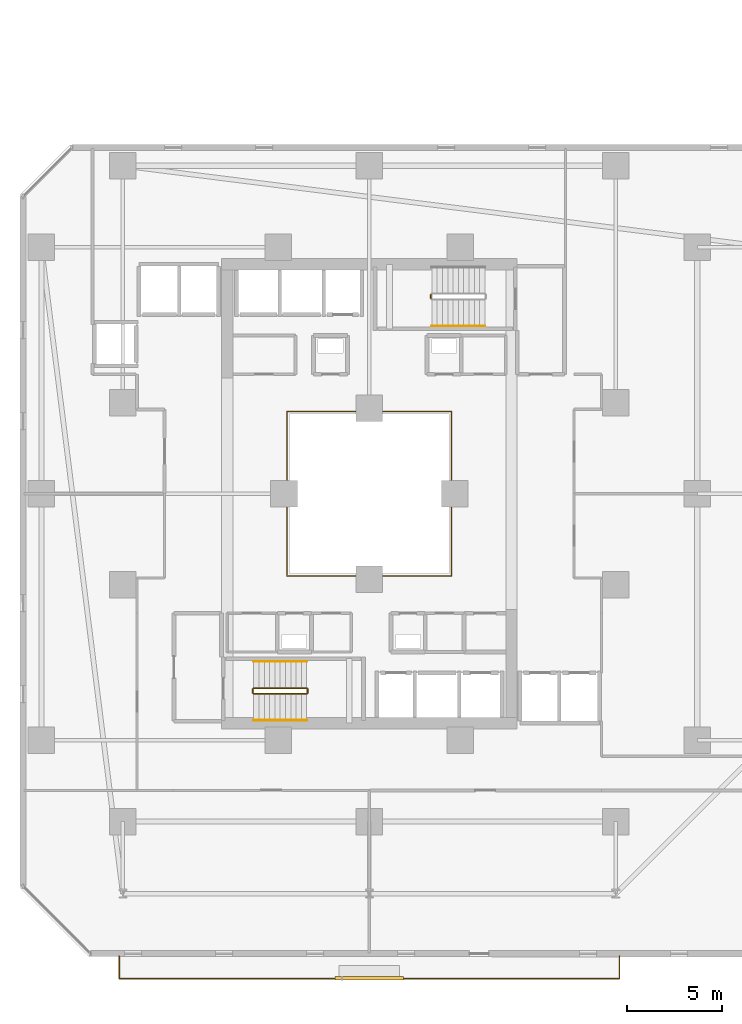
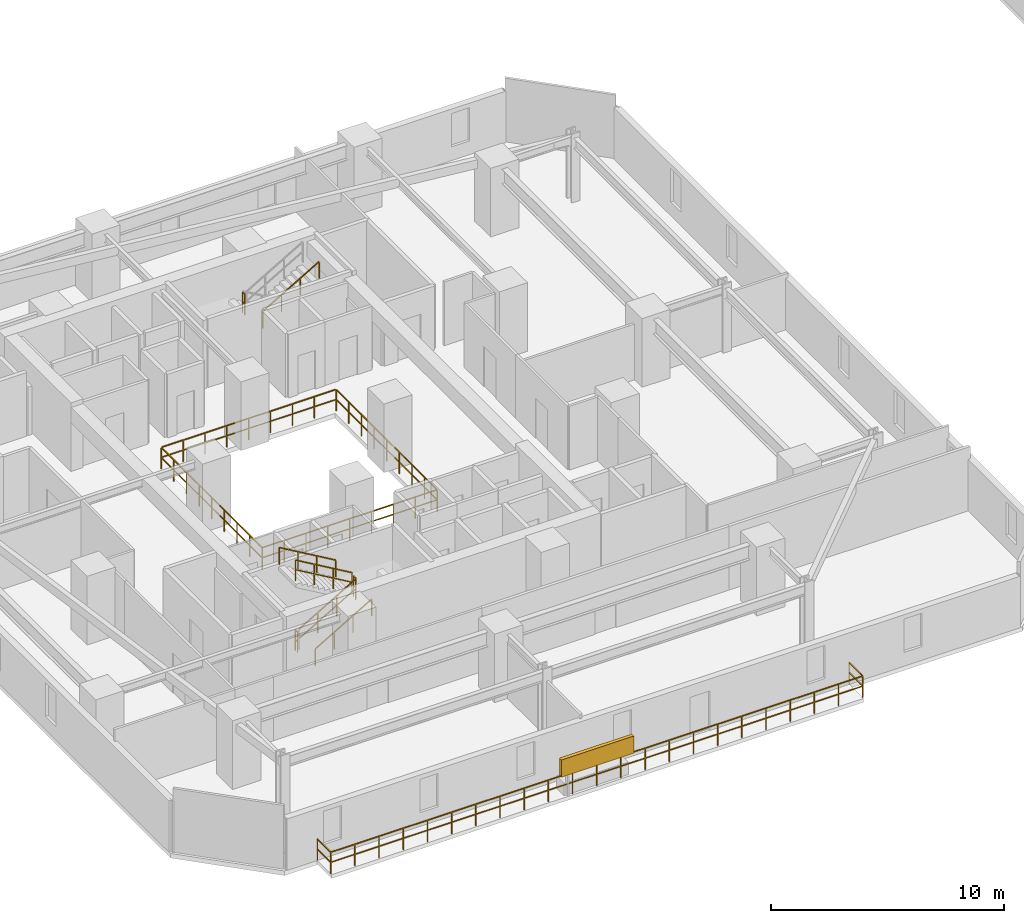
# One storey, part 31 of 34: 10 railings, 1 shading device.
"""IFC4 building model written with IfcOpenShell, lengths in metres."""

import ifcopenshell
import ifcopenshell.guid

model = None  # the IFC model being written
_history = None  # IfcOwnerHistory: only IFC2X3 demands one
_inside = {}  # id of a spatial element -> (the spatial element, [elements in it])
_under = {}  # id of a project, library or spatial element -> (it, [spatial elements below it])
_declared = {}  # id of a project -> (the project, [libraries it declares])
_typed = {}  # id of a type object -> (the type object, [elements of that type])
_made_of = {}  # id of a material, layer set ... -> (it, [elements and type objects made of it])


def new_model(schema):
    """Start an empty IFC model of exactly this schema.

    Asked for "IFC4X3", IfcOpenShell would pick the latest addendum, in which some entities
    have other attributes; the version numbers below select the first issue.
    IFC2X3 requires an IfcOwnerHistory on every rooted entity: one is made here for all.
    """
    global model, _history
    if schema == "IFC4X3":
        model = ifcopenshell.file(schema_version=(4, 3, 0, 0))
    else:
        model = ifcopenshell.file(schema=schema)
    _inside.clear()
    _under.clear()
    _declared.clear()
    _typed.clear()
    _made_of.clear()
    _history = None
    if model.schema == "IFC2X3":
        org = make("IfcOrganization", Name="unknown")
        user = make(
            "IfcPersonAndOrganization",
            ThePerson=make("IfcPerson", FamilyName="unknown"),
            TheOrganization=org,
        )
        app = make(
            "IfcApplication",
            ApplicationDeveloper=org,
            Version="unknown",
            ApplicationFullName="unknown",
            ApplicationIdentifier="unknown",
        )
        _history = make(
            "IfcOwnerHistory",
            OwningUser=user,
            OwningApplication=app,
            ChangeAction="ADDED",
            CreationDate=0,
        )
    return model


def make(cls, **values):
    """One entity of the class cls with the attributes given. An attribute that is None is left unset."""
    return model.create_entity(
        cls, **{name: value for name, value in values.items() if value is not None}
    )


def rooted(cls, **values):
    """An entity with a GlobalId (a new one), such as an element, a storey or a relation."""
    return make(cls, GlobalId=ifcopenshell.guid.new(), OwnerHistory=_history, **values)


def si_unit(unit_type, name, prefix=None):
    """IfcSIUnit, for example si_unit("LENGTHUNIT", "METRE", prefix="MILLI")."""
    return make("IfcSIUnit", UnitType=unit_type, Prefix=prefix, Name=name)


def assignment(units):
    """IfcUnitAssignment: the units of a project."""
    return None if units is None else make("IfcUnitAssignment", Units=units)


def point(xyz):
    """IfcCartesianPoint."""
    return None if xyz is None else make("IfcCartesianPoint", Coordinates=xyz)


def direction(xyz):
    """IfcDirection."""
    return None if xyz is None else make("IfcDirection", DirectionRatios=xyz)


def frame(location, z_axis=None, x_axis=None):
    """IfcAxis2Placement3D, a coordinate frame: its origin and axes. An axis left out is left unset."""
    return make(
        "IfcAxis2Placement3D",
        Location=point(location),
        Axis=direction(z_axis),
        RefDirection=direction(x_axis),
    )


def frame_2d(location, x_axis=None):
    """IfcAxis2Placement2D, a coordinate frame in the plane: its origin and x axis."""
    return make(
        "IfcAxis2Placement2D", Location=point(location), RefDirection=direction(x_axis)
    )


def origin():
    """The frame at (0, 0, 0) with its axes left unset."""
    return frame((0.0, 0.0, 0.0))


def origin_2d():
    """The frame at (0, 0) in the plane with its x axis left unset."""
    return frame_2d((0.0, 0.0))


def place(relative_to, where):
    """IfcLocalPlacement: puts the frame where relative to a parent placement (None: the world)."""
    return make(
        "IfcLocalPlacement", PlacementRelTo=relative_to, RelativePlacement=where
    )


def context(
    kind, dimensions, precision=None, world=None, true_north=None, identifier=None
):
    """IfcGeometricRepresentationContext, for example the 3D "Model" context."""
    return make(
        "IfcGeometricRepresentationContext",
        ContextIdentifier=identifier,
        ContextType=kind,
        CoordinateSpaceDimension=dimensions,
        Precision=precision,
        WorldCoordinateSystem=world,
        TrueNorth=true_north,
    )


def subcontext(parent, identifier, kind, view, scale=None):
    """IfcGeometricRepresentationSubContext, for example "Body" below "Model"."""
    return make(
        "IfcGeometricRepresentationSubContext",
        ContextIdentifier=identifier,
        ContextType=kind,
        ParentContext=parent,
        TargetScale=scale,
        TargetView=view,
    )


def project(units=None, contexts=None):
    """IfcProject with its units and contexts."""
    return rooted(
        "IfcProject",
        Name="project",
        RepresentationContexts=contexts,
        UnitsInContext=assignment(units),
    )


def spatial(cls, under=None, at=None, **own):
    """A site, building, storey or space (cls), placed at a placement, below another one or the project."""
    s = rooted(cls, ObjectPlacement=at, **own)
    if under is not None:
        _under.setdefault(under.id(), (under, []))[1].append(s)
    return s


def profile(cls, at=None, kind="AREA", **sizes):
    """A parametric profile (cls). Its sizes go by their IFC names, for example OverallWidth=200.0."""
    return make(cls, ProfileType=kind, Position=at, **sizes)


def rectangle(**sizes):
    """IfcRectangleProfileDef."""
    return profile("IfcRectangleProfileDef", **sizes)


def extrude(swept, where, along, depth):
    """IfcExtrudedAreaSolid: the profile swept, set in the frame where, extruded along a direction by depth."""
    return make(
        "IfcExtrudedAreaSolid",
        SweptArea=swept,
        Position=where,
        ExtrudedDirection=direction(along),
        Depth=depth,
    )


def shape(context_of_items, identifier, shape_type, items):
    """IfcShapeRepresentation: the items that make up one representation, for example the "Body"."""
    return make(
        "IfcShapeRepresentation",
        ContextOfItems=context_of_items,
        RepresentationIdentifier=identifier,
        RepresentationType=shape_type,
        Items=items,
    )


def material(Name=None, Category=None):
    """IfcMaterial."""
    return make("IfcMaterial", Name=Name, Category=Category)


def made_of(thing, what):
    """Note that an element or type object is made of a material, layer set ...; save() writes the relation."""
    if what is not None:
        _made_of.setdefault(what.id(), (what, []))[1].append(thing)
    return thing


def type_object(cls, material=None, **own):
    """A type object (cls), such as IfcWallType, which elements share."""
    return made_of(rooted(cls, **own), material)


def element(
    cls,
    number,
    at=None,
    inside=None,
    cuts=None,
    type_object=None,
    material=None,
    context=None,
    identifier="Body",
    shape_type=None,
    held_by="IfcProductDefinitionShape",
    body=None,
    shapes=None,
    **own,
):
    """One element of the class cls, such as IfcWall. Its Tag is "e" and its number.

    at: its placement. inside: the storey or other place that contains it. cuts: it is an
    opening in that element (IfcRelVoidsElement). A single representation is given by context,
    identifier, shape_type and body (its items); several are given by shapes. held_by: the class
    of the entity that holds the representations. save() writes the other relations.
    """
    e = rooted(cls, Tag="e%d" % number, ObjectPlacement=at, **own)
    if body is not None:
        shapes = [shape(context, identifier, shape_type, body)]
    if shapes is not None:
        e.Representation = make(held_by, Representations=shapes)
    if inside is not None:
        _inside.setdefault(inside.id(), (inside, []))[1].append(e)
    if cuts is not None:
        rooted(
            "IfcRelVoidsElement", RelatingBuildingElement=cuts, RelatedOpeningElement=e
        )
    if type_object is not None:
        _typed.setdefault(type_object.id(), (type_object, []))[1].append(e)
    return made_of(e, material)


def aggregate(whole, parts):
    """IfcRelAggregates: a whole, such as a stair, and the parts it consists of."""
    return rooted("IfcRelAggregates", RelatingObject=whole, RelatedObjects=parts)


def save(model, path):
    """Write the relations noted so far, then the file.

    IfcRelAggregates (storeys below a building ...), IfcRelContainedInSpatialStructure (elements
    in a storey), IfcRelDefinesByType, IfcRelAssociatesMaterial and IfcRelDeclares: one each for
    every whole, place, type object, material and project.
    """
    for whole, parts in _under.values():
        aggregate(whole, parts)
    for where, things in _inside.values():
        rooted(
            "IfcRelContainedInSpatialStructure",
            RelatedElements=things,
            RelatingStructure=where,
        )
    for kind, things in _typed.values():
        rooted("IfcRelDefinesByType", RelatedObjects=things, RelatingType=kind)
    for what, things in _made_of.values():
        rooted("IfcRelAssociatesMaterial", RelatedObjects=things, RelatingMaterial=what)
    for by, libraries in _declared.values():
        rooted("IfcRelDeclares", RelatingContext=by, RelatedDefinitions=libraries)
    model.write(path)


model = new_model("IFC4")

# Units and contexts
model_context = context("Model", 3, precision=1e-05, world=origin(), true_north=direction((0.0, 1.0)))
body_context = subcontext(model_context, "Body", "Model", "MODEL_VIEW")
ifc_project = project(units=[si_unit("LENGTHUNIT", "METRE"), si_unit("AREAUNIT", "SQUARE_METRE"), si_unit("VOLUMEUNIT", "CUBIC_METRE"), si_unit("PLANEANGLEUNIT", "RADIAN"), si_unit("MASSUNIT", "GRAM", prefix="KILO")], contexts=[model_context])

# Site, building, storey
site_placement = place(None, origin())
site = spatial("IfcSite", under=ifc_project, at=site_placement, CompositionType="ELEMENT")
building_placement = place(site_placement, origin())
building = spatial("IfcBuilding", under=site, at=building_placement, Name="Thornwick Lancets Civic Towers", CompositionType="ELEMENT")
storey_placement = place(building_placement, frame((0.0, 0.0, 57.300048828125)))
storey = spatial("IfcBuildingStorey", under=building, at=storey_placement, Name="L14", CompositionType="ELEMENT", Elevation=57.300048828125)

# Railings
ifc_material_1 = material(Name="Laminated glass and bronze steel S355", Category="steel")
railing_type_1 = type_object("IfcRailingType", Name="RAIL_ATRIUM_GUARD", PredefinedType="BALUSTRADE", material=ifc_material_1)
railing_1_placement = place(storey_placement, frame((21.159912109375, 22.659912109375, 0.0)))
element("IfcRailing", 1, at=railing_1_placement, inside=storey, type_object=railing_type_1, Name="L14 Tower A Central Atrium Guard Balustrade", PredefinedType="BALUSTRADE", context=body_context, shape_type="SweptSolid", body=[
    extrude(rectangle(XDim=0.048095703125, YDim=0.048095703125, at=origin_2d()), frame((0.0, 0.0, 1.1259765625), z_axis=(1.0, 0.0, 0.0), x_axis=(0.0, 1.0, 0.0)), (0.0, 0.0, 1.0), 8.64892578125),
    extrude(rectangle(XDim=0.0419921875, YDim=0.0419921875, at=origin_2d()), frame((0.03759765625, 0.0, 0.597900390625), z_axis=(1.0, 0.0, 0.0), x_axis=(0.0, 1.0, 0.0)), (0.0, 0.0, 1.0), 1.010009765625),
    extrude(rectangle(XDim=0.0419921875, YDim=0.0419921875, at=origin_2d()), frame((1.12255859375, 0.0, 0.597900390625), z_axis=(1.0, 0.0, 0.0), x_axis=(0.0, 1.0, 0.0)), (0.0, 0.0, 1.0), 1.010009765625),
    extrude(rectangle(XDim=0.0419921875, YDim=0.0419921875, at=origin_2d()), frame((2.20751953125, 0.0, 0.597900390625), z_axis=(1.0, 0.0, 0.0), x_axis=(0.0, 1.0, 0.0)), (0.0, 0.0, 1.0), 1.010009765625),
    extrude(rectangle(XDim=0.0419921875, YDim=0.0419921875, at=origin_2d()), frame((3.29248046875, 0.0, 0.597900390625), z_axis=(1.0, 0.0, 0.0), x_axis=(0.0, 1.0, 0.0)), (0.0, 0.0, 1.0), 1.010009765625),
    extrude(rectangle(XDim=0.0419921875, YDim=0.0419921875, at=origin_2d()), frame((4.377685546875, 0.0, 0.597900390625), z_axis=(1.0, 0.0, 0.0), x_axis=(0.0, 1.0, 0.0)), (0.0, 0.0, 1.0), 1.010009765625),
    extrude(rectangle(XDim=0.0419921875, YDim=0.0419921875, at=origin_2d()), frame((5.462646484375, 0.0, 0.597900390625), z_axis=(1.0, 0.0, 0.0), x_axis=(0.0, 1.0, 0.0)), (0.0, 0.0, 1.0), 1.010009765625),
    extrude(rectangle(XDim=0.0419921875, YDim=0.0419921875, at=origin_2d()), frame((6.547607421875, 0.0, 0.597900390625), z_axis=(1.0, 0.0, 0.0), x_axis=(0.0, 1.0, 0.0)), (0.0, 0.0, 1.0), 1.010009765625),
    extrude(rectangle(XDim=0.0419921875, YDim=0.0419921875, at=origin_2d()), frame((7.632568359375, 0.0, 0.597900390625), z_axis=(1.0, 0.0, 0.0), x_axis=(0.0, 1.0, 0.0)), (0.0, 0.0, 1.0), 1.010009765625),
    extrude(rectangle(XDim=0.048095703125, YDim=0.048095703125, at=origin_2d()), frame((8.68017578125, 0.03125, 1.1259765625), z_axis=(0.0, 1.0, 0.0), x_axis=(-1.0, 0.0, 0.0)), (0.0, 0.0, 1.0), 8.61767578125),
    extrude(rectangle(XDim=0.0419921875, YDim=0.0419921875, at=origin_2d()), frame((8.68017578125, 0.03759765625, 0.597900390625), z_axis=(0.0, 1.0, 0.0), x_axis=(-1.0, 0.0, 0.0)), (0.0, 0.0, 1.0), 1.010009765625),
    extrude(rectangle(XDim=0.0419921875, YDim=0.0419921875, at=origin_2d()), frame((8.68017578125, 1.12255859375, 0.597900390625), z_axis=(0.0, 1.0, 0.0), x_axis=(-1.0, 0.0, 0.0)), (0.0, 0.0, 1.0), 1.010009765625),
    extrude(rectangle(XDim=0.0419921875, YDim=0.0419921875, at=origin_2d()), frame((8.68017578125, 2.20751953125, 0.597900390625), z_axis=(0.0, 1.0, 0.0), x_axis=(-1.0, 0.0, 0.0)), (0.0, 0.0, 1.0), 1.010009765625),
    extrude(rectangle(XDim=0.0419921875, YDim=0.0419921875, at=origin_2d()), frame((8.68017578125, 3.29248046875, 0.597900390625), z_axis=(0.0, 1.0, 0.0), x_axis=(-1.0, 0.0, 0.0)), (0.0, 0.0, 1.0), 1.010009765625),
    extrude(rectangle(XDim=0.0419921875, YDim=0.0419921875, at=origin_2d()), frame((8.68017578125, 4.377685546875, 0.597900390625), z_axis=(0.0, 1.0, 0.0), x_axis=(-1.0, 0.0, 0.0)), (0.0, 0.0, 1.0), 1.010009765625),
    extrude(rectangle(XDim=0.0419921875, YDim=0.0419921875, at=origin_2d()), frame((8.68017578125, 5.462646484375, 0.597900390625), z_axis=(0.0, 1.0, 0.0), x_axis=(-1.0, 0.0, 0.0)), (0.0, 0.0, 1.0), 1.010009765625),
    extrude(rectangle(XDim=0.0419921875, YDim=0.0419921875, at=origin_2d()), frame((8.68017578125, 6.547607421875, 0.597900390625), z_axis=(0.0, 1.0, 0.0), x_axis=(-1.0, 0.0, 0.0)), (0.0, 0.0, 1.0), 1.010009765625),
    extrude(rectangle(XDim=0.0419921875, YDim=0.0419921875, at=origin_2d()), frame((8.68017578125, 7.632568359375, 0.597900390625), z_axis=(0.0, 1.0, 0.0), x_axis=(-1.0, 0.0, 0.0)), (0.0, 0.0, 1.0), 1.010009765625),
    extrude(rectangle(XDim=0.048095703125, YDim=0.048095703125, at=origin_2d()), frame((8.64892578125, 8.68017578125, 1.1259765625), z_axis=(-1.0, 0.0, 0.0), x_axis=(0.0, -1.0, 0.0)), (0.0, 0.0, 1.0), 8.61767578125),
    extrude(rectangle(XDim=0.0419921875, YDim=0.0419921875, at=origin_2d()), frame((8.642578125, 8.68017578125, 0.597900390625), z_axis=(-1.0, 0.0, 0.0), x_axis=(0.0, -1.0, 0.0)), (0.0, 0.0, 1.0), 1.010009765625),
    extrude(rectangle(XDim=0.0419921875, YDim=0.0419921875, at=origin_2d()), frame((7.5576171875, 8.68017578125, 0.597900390625), z_axis=(-1.0, 0.0, 0.0), x_axis=(0.0, -1.0, 0.0)), (0.0, 0.0, 1.0), 1.010009765625),
    extrude(rectangle(XDim=0.0419921875, YDim=0.0419921875, at=origin_2d()), frame((6.47265625, 8.68017578125, 0.597900390625), z_axis=(-1.0, 0.0, 0.0), x_axis=(0.0, -1.0, 0.0)), (0.0, 0.0, 1.0), 1.010009765625),
    extrude(rectangle(XDim=0.0419921875, YDim=0.0419921875, at=origin_2d()), frame((5.3876953125, 8.68017578125, 0.597900390625), z_axis=(-1.0, 0.0, 0.0), x_axis=(0.0, -1.0, 0.0)), (0.0, 0.0, 1.0), 1.010009765625),
    extrude(rectangle(XDim=0.0419921875, YDim=0.0419921875, at=origin_2d()), frame((4.302490234375, 8.68017578125, 0.597900390625), z_axis=(-1.0, 0.0, 0.0), x_axis=(0.0, -1.0, 0.0)), (0.0, 0.0, 1.0), 1.010009765625),
    extrude(rectangle(XDim=0.0419921875, YDim=0.0419921875, at=origin_2d()), frame((3.217529296875, 8.68017578125, 0.597900390625), z_axis=(-1.0, 0.0, 0.0), x_axis=(0.0, -1.0, 0.0)), (0.0, 0.0, 1.0), 1.010009765625),
    extrude(rectangle(XDim=0.0419921875, YDim=0.0419921875, at=origin_2d()), frame((2.132568359375, 8.68017578125, 0.597900390625), z_axis=(-1.0, 0.0, 0.0), x_axis=(0.0, -1.0, 0.0)), (0.0, 0.0, 1.0), 1.010009765625),
    extrude(rectangle(XDim=0.0419921875, YDim=0.0419921875, at=origin_2d()), frame((1.047607421875, 8.68017578125, 0.597900390625), z_axis=(-1.0, 0.0, 0.0), x_axis=(0.0, -1.0, 0.0)), (0.0, 0.0, 1.0), 1.010009765625),
    extrude(rectangle(XDim=0.048095703125, YDim=0.048095703125, at=origin_2d()), frame((0.0, 8.64892578125, 1.1259765625), z_axis=(0.0, -1.0, 0.0), x_axis=(1.0, 0.0, 0.0)), (0.0, 0.0, 1.0), 8.64892578125),
    extrude(rectangle(XDim=0.0419921875, YDim=0.0419921875, at=origin_2d()), frame((0.0, 8.642578125, 0.597900390625), z_axis=(0.0, -1.0, 0.0), x_axis=(1.0, 0.0, 0.0)), (0.0, 0.0, 1.0), 1.010009765625),
    extrude(rectangle(XDim=0.0419921875, YDim=0.0419921875, at=origin_2d()), frame((0.0, 7.5576171875, 0.597900390625), z_axis=(0.0, -1.0, 0.0), x_axis=(1.0, 0.0, 0.0)), (0.0, 0.0, 1.0), 1.010009765625),
    extrude(rectangle(XDim=0.0419921875, YDim=0.0419921875, at=origin_2d()), frame((0.0, 6.47265625, 0.597900390625), z_axis=(0.0, -1.0, 0.0), x_axis=(1.0, 0.0, 0.0)), (0.0, 0.0, 1.0), 1.010009765625),
    extrude(rectangle(XDim=0.0419921875, YDim=0.0419921875, at=origin_2d()), frame((0.0, 5.3876953125, 0.597900390625), z_axis=(0.0, -1.0, 0.0), x_axis=(1.0, 0.0, 0.0)), (0.0, 0.0, 1.0), 1.010009765625),
    extrude(rectangle(XDim=0.0419921875, YDim=0.0419921875, at=origin_2d()), frame((0.0, 4.302490234375, 0.597900390625), z_axis=(0.0, -1.0, 0.0), x_axis=(1.0, 0.0, 0.0)), (0.0, 0.0, 1.0), 1.010009765625),
    extrude(rectangle(XDim=0.0419921875, YDim=0.0419921875, at=origin_2d()), frame((0.0, 3.217529296875, 0.597900390625), z_axis=(0.0, -1.0, 0.0), x_axis=(1.0, 0.0, 0.0)), (0.0, 0.0, 1.0), 1.010009765625),
    extrude(rectangle(XDim=0.0419921875, YDim=0.0419921875, at=origin_2d()), frame((0.0, 2.132568359375, 0.597900390625), z_axis=(0.0, -1.0, 0.0), x_axis=(1.0, 0.0, 0.0)), (0.0, 0.0, 1.0), 1.010009765625),
    extrude(rectangle(XDim=0.0419921875, YDim=0.0419921875, at=origin_2d()), frame((0.0, 1.047607421875, 0.597900390625), z_axis=(0.0, -1.0, 0.0), x_axis=(1.0, 0.0, 0.0)), (0.0, 0.0, 1.0), 1.010009765625),
    extrude(rectangle(XDim=0.0419921875, YDim=0.0419921875, at=origin_2d()), origin(), (0.0, 0.0, 1.0), 1.095703125),
    extrude(rectangle(XDim=0.0419921875, YDim=0.0419921875, at=origin_2d()), frame((1.0849609375, 0.0, 0.0)), (0.0, 0.0, 1.0), 1.095703125),
    extrude(rectangle(XDim=0.0419921875, YDim=0.0419921875, at=origin_2d()), frame((2.169921875, 0.0, 0.0)), (0.0, 0.0, 1.0), 1.095703125),
    extrude(rectangle(XDim=0.0419921875, YDim=0.0419921875, at=origin_2d()), frame((3.255126953125, 0.0, 0.0)), (0.0, 0.0, 1.0), 1.095703125),
    extrude(rectangle(XDim=0.0419921875, YDim=0.0419921875, at=origin_2d()), frame((4.340087890625, 0.0, 0.0)), (0.0, 0.0, 1.0), 1.095703125),
    extrude(rectangle(XDim=0.0419921875, YDim=0.0419921875, at=origin_2d()), frame((5.425048828125, 0.0, 0.0)), (0.0, 0.0, 1.0), 1.095703125),
    extrude(rectangle(XDim=0.0419921875, YDim=0.0419921875, at=origin_2d()), frame((6.51025390625, 0.0, 0.0)), (0.0, 0.0, 1.0), 1.095703125),
    extrude(rectangle(XDim=0.0419921875, YDim=0.0419921875, at=origin_2d()), frame((7.59521484375, 0.0, 0.0)), (0.0, 0.0, 1.0), 1.095703125),
    extrude(rectangle(XDim=0.0419921875, YDim=0.0419921875, at=origin_2d()), frame((8.68017578125, 0.0, 0.0)), (0.0, 0.0, 1.0), 1.095703125),
    extrude(rectangle(XDim=0.0419921875, YDim=0.0419921875, at=origin_2d()), frame((8.68017578125, 1.0849609375, 0.0)), (0.0, 0.0, 1.0), 1.095703125),
    extrude(rectangle(XDim=0.0419921875, YDim=0.0419921875, at=origin_2d()), frame((8.68017578125, 2.169921875, 0.0)), (0.0, 0.0, 1.0), 1.095703125),
    extrude(rectangle(XDim=0.0419921875, YDim=0.0419921875, at=origin_2d()), frame((8.68017578125, 3.255126953125, 0.0)), (0.0, 0.0, 1.0), 1.095703125),
    extrude(rectangle(XDim=0.0419921875, YDim=0.0419921875, at=origin_2d()), frame((8.68017578125, 4.340087890625, 0.0)), (0.0, 0.0, 1.0), 1.095703125),
    extrude(rectangle(XDim=0.0419921875, YDim=0.0419921875, at=origin_2d()), frame((8.68017578125, 5.425048828125, 0.0)), (0.0, 0.0, 1.0), 1.095703125),
    extrude(rectangle(XDim=0.0419921875, YDim=0.0419921875, at=origin_2d()), frame((8.68017578125, 6.51025390625, 0.0)), (0.0, 0.0, 1.0), 1.095703125),
    extrude(rectangle(XDim=0.0419921875, YDim=0.0419921875, at=origin_2d()), frame((8.68017578125, 7.59521484375, 0.0)), (0.0, 0.0, 1.0), 1.095703125),
    extrude(rectangle(XDim=0.0419921875, YDim=0.0419921875, at=origin_2d()), frame((8.68017578125, 8.68017578125, 0.0)), (0.0, 0.0, 1.0), 1.095703125),
    extrude(rectangle(XDim=0.0419921875, YDim=0.0419921875, at=origin_2d()), frame((7.59521484375, 8.68017578125, 0.0)), (0.0, 0.0, 1.0), 1.095703125),
    extrude(rectangle(XDim=0.0419921875, YDim=0.0419921875, at=origin_2d()), frame((6.51025390625, 8.68017578125, 0.0)), (0.0, 0.0, 1.0), 1.095703125),
    extrude(rectangle(XDim=0.0419921875, YDim=0.0419921875, at=origin_2d()), frame((5.425048828125, 8.68017578125, 0.0)), (0.0, 0.0, 1.0), 1.095703125),
    extrude(rectangle(XDim=0.0419921875, YDim=0.0419921875, at=origin_2d()), frame((4.340087890625, 8.68017578125, 0.0)), (0.0, 0.0, 1.0), 1.095703125),
    extrude(rectangle(XDim=0.0419921875, YDim=0.0419921875, at=origin_2d()), frame((3.255126953125, 8.68017578125, 0.0)), (0.0, 0.0, 1.0), 1.095703125),
    extrude(rectangle(XDim=0.0419921875, YDim=0.0419921875, at=origin_2d()), frame((2.169921875, 8.68017578125, 0.0)), (0.0, 0.0, 1.0), 1.095703125),
    extrude(rectangle(XDim=0.0419921875, YDim=0.0419921875, at=origin_2d()), frame((1.0849609375, 8.68017578125, 0.0)), (0.0, 0.0, 1.0), 1.095703125),
    extrude(rectangle(XDim=0.0419921875, YDim=0.0419921875, at=origin_2d()), frame((0.0, 8.68017578125, 0.0)), (0.0, 0.0, 1.0), 1.095703125),
    extrude(rectangle(XDim=0.0419921875, YDim=0.0419921875, at=origin_2d()), frame((0.0, 7.59521484375, 0.0)), (0.0, 0.0, 1.0), 1.095703125),
    extrude(rectangle(XDim=0.0419921875, YDim=0.0419921875, at=origin_2d()), frame((0.0, 6.51025390625, 0.0)), (0.0, 0.0, 1.0), 1.095703125),
    extrude(rectangle(XDim=0.0419921875, YDim=0.0419921875, at=origin_2d()), frame((0.0, 5.425048828125, 0.0)), (0.0, 0.0, 1.0), 1.095703125),
    extrude(rectangle(XDim=0.0419921875, YDim=0.0419921875, at=origin_2d()), frame((0.0, 4.340087890625, 0.0)), (0.0, 0.0, 1.0), 1.095703125),
    extrude(rectangle(XDim=0.0419921875, YDim=0.0419921875, at=origin_2d()), frame((0.0, 3.255126953125, 0.0)), (0.0, 0.0, 1.0), 1.095703125),
    extrude(rectangle(XDim=0.0419921875, YDim=0.0419921875, at=origin_2d()), frame((0.0, 2.169921875, 0.0)), (0.0, 0.0, 1.0), 1.095703125),
    extrude(rectangle(XDim=0.0419921875, YDim=0.0419921875, at=origin_2d()), frame((0.0, 1.0849609375, 0.0)), (0.0, 0.0, 1.0), 1.095703125),
])
ifc_material_2 = material(Name="Brushed stainless steel S355", Category="steel")
railing_type_2 = type_object("IfcRailingType", Name="RAIL_HANDRAIL", PredefinedType="HANDRAIL", material=ifc_material_2)
railing_2_placement = place(storey_placement, frame((19.39990234375, 15.050048828125, 0.16357421875)))
element("IfcRailing", 2, at=railing_2_placement, inside=storey, type_object=railing_type_2, Name="L14 ST-A1 stair handrail 1", PredefinedType="HANDRAIL", context=body_context, shape_type="SweptSolid", body=[
    extrude(rectangle(XDim=0.048095703125, YDim=0.048095703125, at=origin_2d()), frame((0.0, 0.0, 0.8857421875), z_axis=(0.863360870873, 0.0, 0.504586966384), x_axis=(0.0, 1.0, 0.0)), (0.0, 0.0, 1.0), 3.2431640625),
    extrude(rectangle(XDim=0.0419921875, YDim=0.0419921875, at=origin_2d()), origin(), (0.0, 0.0, 1.0), 0.855712890625),
    extrude(rectangle(XDim=0.0419921875, YDim=0.0419921875, at=origin_2d()), frame((0.933349609375, 0.0, 0.54541015625)), (0.0, 0.0, 1.0), 0.855712890625),
    extrude(rectangle(XDim=0.0419921875, YDim=0.0419921875, at=origin_2d()), frame((1.86669921875, 0.0, 1.091064453125)), (0.0, 0.0, 1.0), 0.855712890625),
    extrude(rectangle(XDim=0.0419921875, YDim=0.0419921875, at=origin_2d()), frame((2.800048828125, 0.0, 1.636474609375)), (0.0, 0.0, 1.0), 0.855712890625),
])
railing_3_placement = place(storey_placement, frame((22.199951171875, 18.14990234375, 1.963623046875)))
element("IfcRailing", 3, at=railing_3_placement, inside=storey, type_object=railing_type_2, Name="L14 ST-A1 stair handrail 2", PredefinedType="HANDRAIL", context=body_context, shape_type="SweptSolid", body=[
    extrude(rectangle(XDim=0.048095703125, YDim=0.048095703125, at=origin_2d()), frame((0.0, 0.0, 0.8857421875), z_axis=(-0.863393664356, 0.0, 0.504530851732), x_axis=(0.0, -1.0, 0.0)), (0.0, 0.0, 1.0), 3.2431640625),
    extrude(rectangle(XDim=0.0419921875, YDim=0.0419921875, at=origin_2d()), origin(), (0.0, 0.0, 1.0), 0.855712890625),
    extrude(rectangle(XDim=0.0419921875, YDim=0.0419921875, at=origin_2d()), frame((-0.933349609375, 0.0, 0.54541015625)), (0.0, 0.0, 1.0), 0.855712890625),
    extrude(rectangle(XDim=0.0419921875, YDim=0.0419921875, at=origin_2d()), frame((-1.86669921875, 0.0, 1.0908203125)), (0.0, 0.0, 1.0), 0.855712890625),
    extrude(rectangle(XDim=0.0419921875, YDim=0.0419921875, at=origin_2d()), frame((-2.800048828125, 0.0, 1.63623046875)), (0.0, 0.0, 1.0), 0.855712890625),
])
railing_4_placement = place(storey_placement, frame((28.800048828125, 35.85009765625, 1.963623046875)))
element("IfcRailing", 4, at=railing_4_placement, inside=storey, type_object=railing_type_2, Name="L14 ST-A2 stair handrail 2", PredefinedType="HANDRAIL", context=body_context, shape_type="SweptSolid", body=[
    extrude(rectangle(XDim=0.048095703125, YDim=0.048095703125, at=origin_2d()), frame((0.0, 0.0, 0.8857421875), z_axis=(0.863393664356, 0.0, 0.504530851732), x_axis=(0.0, 1.0, 0.0)), (0.0, 0.0, 1.0), 3.2431640625),
    extrude(rectangle(XDim=0.0419921875, YDim=0.0419921875, at=origin_2d()), origin(), (0.0, 0.0, 1.0), 0.855712890625),
    extrude(rectangle(XDim=0.0419921875, YDim=0.0419921875, at=origin_2d()), frame((0.933349609375, 0.0, 0.54541015625)), (0.0, 0.0, 1.0), 0.855712890625),
    extrude(rectangle(XDim=0.0419921875, YDim=0.0419921875, at=origin_2d()), frame((1.86669921875, 0.0, 1.0908203125)), (0.0, 0.0, 1.0), 0.855712890625),
    extrude(rectangle(XDim=0.0419921875, YDim=0.0419921875, at=origin_2d()), frame((2.800048828125, 0.0, 1.63623046875)), (0.0, 0.0, 1.0), 0.855712890625),
])
ifc_material_3 = material(Name="Steel S355JR", Category="steel")
railing_type_3 = type_object("IfcRailingType", Name="RAIL_STAIR_GUARD", PredefinedType="GUARDRAIL", material=ifc_material_3)
railing_5_placement = place(storey_placement, frame((19.39990234375, 16.449951171875, 0.16357421875)))
element("IfcRailing", 5, at=railing_5_placement, inside=storey, type_object=railing_type_3, Name="L14 ST-A1 stair guard 1", PredefinedType="GUARDRAIL", context=body_context, shape_type="SweptSolid", body=[
    extrude(rectangle(XDim=0.048095703125, YDim=0.048095703125, at=origin_2d()), frame((0.0, 0.0, 1.076171875), z_axis=(0.863360870873, 0.0, 0.504586966384), x_axis=(0.0, 1.0, 0.0)), (0.0, 0.0, 1.0), 3.2431640625),
    extrude(rectangle(XDim=0.0419921875, YDim=0.0419921875, at=origin_2d()), frame((0.032470703125, 0.0, 0.591064453125), z_axis=(0.863360870873, 0.0, 0.504586966384), x_axis=(0.0, 1.0, 0.0)), (0.0, 0.0, 1.0), 1.006103515625),
    extrude(rectangle(XDim=0.0419921875, YDim=0.0419921875, at=origin_2d()), frame((0.9658203125, 0.0, 1.136474609375), z_axis=(0.863360870873, 0.0, 0.504586966384), x_axis=(0.0, 1.0, 0.0)), (0.0, 0.0, 1.0), 1.006103515625),
    extrude(rectangle(XDim=0.0419921875, YDim=0.0419921875, at=origin_2d()), frame((1.899169921875, 0.0, 1.681884765625), z_axis=(0.863360870873, 0.0, 0.504586966384), x_axis=(0.0, 1.0, 0.0)), (0.0, 0.0, 1.0), 1.006103515625),
    extrude(rectangle(XDim=0.0419921875, YDim=0.0419921875, at=origin_2d()), origin(), (0.0, 0.0, 1.0), 1.0458984375),
    extrude(rectangle(XDim=0.0419921875, YDim=0.0419921875, at=origin_2d()), frame((0.933349609375, 0.0, 0.54541015625)), (0.0, 0.0, 1.0), 1.0458984375),
    extrude(rectangle(XDim=0.0419921875, YDim=0.0419921875, at=origin_2d()), frame((1.86669921875, 0.0, 1.091064453125)), (0.0, 0.0, 1.0), 1.0458984375),
    extrude(rectangle(XDim=0.0419921875, YDim=0.0419921875, at=origin_2d()), frame((2.800048828125, 0.0, 1.636474609375)), (0.0, 0.0, 1.0), 1.0458984375),
])
railing_6_placement = place(storey_placement, frame((22.25, 16.5, 1.800048828125)))
element("IfcRailing", 6, at=railing_6_placement, inside=storey, type_object=railing_type_3, Name="L14 ST-A1 stair guard 2", PredefinedType="GUARDRAIL", context=body_context, shape_type="SweptSolid", body=[
    extrude(rectangle(XDim=0.048095703125, YDim=0.048095703125, at=origin_2d()), frame((0.0, 0.0, 1.076171875), z_axis=(0.0, 1.0, 0.0), x_axis=(-1.0, 0.0, 0.0)), (0.0, 0.0, 1.0), 0.199951171875),
    extrude(rectangle(XDim=0.0419921875, YDim=0.0419921875, at=origin_2d()), frame((0.0, 0.03759765625, 0.572021484375), z_axis=(0.0, 1.0, 0.0), x_axis=(-1.0, 0.0, 0.0)), (0.0, 0.0, 1.0), 0.125),
    extrude(rectangle(XDim=0.0419921875, YDim=0.0419921875, at=origin_2d()), origin(), (0.0, 0.0, 1.0), 1.0458984375),
    extrude(rectangle(XDim=0.0419921875, YDim=0.0419921875, at=origin_2d()), frame((0.0, 0.199951171875, 0.0)), (0.0, 0.0, 1.0), 1.0458984375),
])
railing_7_placement = place(storey_placement, frame((22.199951171875, 16.75, 1.963623046875)))
element("IfcRailing", 7, at=railing_7_placement, inside=storey, type_object=railing_type_3, Name="L14 ST-A1 stair guard 3", PredefinedType="GUARDRAIL", context=body_context, shape_type="SweptSolid", body=[
    extrude(rectangle(XDim=0.048095703125, YDim=0.048095703125, at=origin_2d()), frame((0.0, 0.0, 1.076171875), z_axis=(-0.863393664356, 0.0, 0.504530851732), x_axis=(0.0, -1.0, 0.0)), (0.0, 0.0, 1.0), 3.2431640625),
    extrude(rectangle(XDim=0.0419921875, YDim=0.0419921875, at=origin_2d()), frame((-0.032470703125, 0.0, 0.591064453125), z_axis=(-0.863393664356, 0.0, 0.504530851732), x_axis=(0.0, -1.0, 0.0)), (0.0, 0.0, 1.0), 1.006103515625),
    extrude(rectangle(XDim=0.0419921875, YDim=0.0419921875, at=origin_2d()), frame((-0.9658203125, 0.0, 1.136474609375), z_axis=(-0.863393664356, 0.0, 0.504530851732), x_axis=(0.0, -1.0, 0.0)), (0.0, 0.0, 1.0), 1.006103515625),
    extrude(rectangle(XDim=0.0419921875, YDim=0.0419921875, at=origin_2d()), frame((-1.899169921875, 0.0, 1.681884765625), z_axis=(-0.863393664356, 0.0, 0.504530851732), x_axis=(0.0, -1.0, 0.0)), (0.0, 0.0, 1.0), 1.006103515625),
    extrude(rectangle(XDim=0.0419921875, YDim=0.0419921875, at=origin_2d()), origin(), (0.0, 0.0, 1.0), 1.0458984375),
    extrude(rectangle(XDim=0.0419921875, YDim=0.0419921875, at=origin_2d()), frame((-0.933349609375, 0.0, 0.54541015625)), (0.0, 0.0, 1.0), 1.0458984375),
    extrude(rectangle(XDim=0.0419921875, YDim=0.0419921875, at=origin_2d()), frame((-1.86669921875, 0.0, 1.0908203125)), (0.0, 0.0, 1.0), 1.0458984375),
    extrude(rectangle(XDim=0.0419921875, YDim=0.0419921875, at=origin_2d()), frame((-2.800048828125, 0.0, 1.63623046875)), (0.0, 0.0, 1.0), 1.0458984375),
])
railing_8_placement = place(storey_placement, frame((19.35009765625, 16.5, 0.0)))
element("IfcRailing", 8, at=railing_8_placement, inside=storey, type_object=railing_type_3, Name="L14 ST-A1 stair guard 4", PredefinedType="GUARDRAIL", context=body_context, shape_type="SweptSolid", body=[
    extrude(rectangle(XDim=0.048095703125, YDim=0.048095703125, at=origin_2d()), frame((0.0, 0.0, 1.076171875), z_axis=(0.0, 1.0, 0.0), x_axis=(-1.0, 0.0, 0.0)), (0.0, 0.0, 1.0), 0.199951171875),
    extrude(rectangle(XDim=0.0419921875, YDim=0.0419921875, at=origin_2d()), frame((0.0, 0.03759765625, 0.572021484375), z_axis=(0.0, 1.0, 0.0), x_axis=(-1.0, 0.0, 0.0)), (0.0, 0.0, 1.0), 0.125),
    extrude(rectangle(XDim=0.0419921875, YDim=0.0419921875, at=origin_2d()), origin(), (0.0, 0.0, 1.0), 1.0458984375),
    extrude(rectangle(XDim=0.0419921875, YDim=0.0419921875, at=origin_2d()), frame((0.0, 0.199951171875, 0.0)), (0.0, 0.0, 1.0), 1.0458984375),
])
railing_9_placement = place(storey_placement, frame((28.75, 37.5, 1.800048828125)))
element("IfcRailing", 9, at=railing_9_placement, inside=storey, type_object=railing_type_3, Name="L14 ST-A2 stair guard 2", PredefinedType="GUARDRAIL", context=body_context, shape_type="SweptSolid", body=[
    extrude(rectangle(XDim=0.048095703125, YDim=0.048095703125, at=origin_2d()), frame((0.0, 0.0, 1.076171875), z_axis=(0.0, -1.0, 0.0), x_axis=(1.0, 0.0, 0.0)), (0.0, 0.0, 1.0), 0.199951171875),
    extrude(rectangle(XDim=0.0419921875, YDim=0.0419921875, at=origin_2d()), frame((0.0, -0.03759765625, 0.572021484375), z_axis=(0.0, -1.0, 0.0), x_axis=(1.0, 0.0, 0.0)), (0.0, 0.0, 1.0), 0.125),
    extrude(rectangle(XDim=0.0419921875, YDim=0.0419921875, at=origin_2d()), origin(), (0.0, 0.0, 1.0), 1.0458984375),
    extrude(rectangle(XDim=0.0419921875, YDim=0.0419921875, at=origin_2d()), frame((0.0, -0.199951171875, 0.0)), (0.0, 0.0, 1.0), 1.0458984375),
])
ifc_material_4 = material(Name="Terracotta-capped laminated glass balustrade S355", Category="masonry")
railing_type_4 = type_object("IfcRailingType", Name="RAIL_TERR_GUARD", PredefinedType="GUARDRAIL", material=ifc_material_4)
railing_10_placement = place(storey_placement, frame((12.300048828125, 2.60009765625, 0.0)))
element("IfcRailing", 10, at=railing_10_placement, inside=storey, type_object=railing_type_4, Name="L14 Tower A Balcony Guard S", PredefinedType="GUARDRAIL", context=body_context, shape_type="SweptSolid", body=[
    extrude(rectangle(XDim=0.048095703125, YDim=0.048095703125, at=origin_2d()), frame((0.0, 0.0, 1.1259765625), z_axis=(0.0, -1.0, 0.0), x_axis=(1.0, 0.0, 0.0)), (0.0, 0.0, 1.0), 1.138916015625),
    extrude(rectangle(XDim=0.0419921875, YDim=0.0419921875, at=origin_2d()), frame((0.0, -0.03759765625, 0.597900390625), z_axis=(0.0, -1.0, 0.0), x_axis=(1.0, 0.0, 0.0)), (0.0, 0.0, 1.0), 1.09521484375),
    extrude(rectangle(XDim=0.048095703125, YDim=0.048095703125, at=origin_2d()), frame((0.03125, -1.170166015625, 1.1259765625), z_axis=(1.0, 0.0, 0.0), x_axis=(0.0, 1.0, 0.0)), (0.0, 0.0, 1.0), 26.33740234375),
    extrude(rectangle(XDim=0.0419921875, YDim=0.0419921875, at=origin_2d()), frame((0.03759765625, -1.170166015625, 0.597900390625), z_axis=(1.0, 0.0, 0.0), x_axis=(0.0, 1.0, 0.0)), (0.0, 0.0, 1.0), 1.125),
    extrude(rectangle(XDim=0.0419921875, YDim=0.0419921875, at=origin_2d()), frame((1.237548828125, -1.170166015625, 0.597900390625), z_axis=(1.0, 0.0, 0.0), x_axis=(0.0, 1.0, 0.0)), (0.0, 0.0, 1.0), 1.125),
    extrude(rectangle(XDim=0.0419921875, YDim=0.0419921875, at=origin_2d()), frame((2.4375, -1.170166015625, 0.597900390625), z_axis=(1.0, 0.0, 0.0), x_axis=(0.0, 1.0, 0.0)), (0.0, 0.0, 1.0), 1.125),
    extrude(rectangle(XDim=0.0419921875, YDim=0.0419921875, at=origin_2d()), frame((3.637451171875, -1.170166015625, 0.597900390625), z_axis=(1.0, 0.0, 0.0), x_axis=(0.0, 1.0, 0.0)), (0.0, 0.0, 1.0), 1.125),
    extrude(rectangle(XDim=0.0419921875, YDim=0.0419921875, at=origin_2d()), frame((4.83740234375, -1.170166015625, 0.597900390625), z_axis=(1.0, 0.0, 0.0), x_axis=(0.0, 1.0, 0.0)), (0.0, 0.0, 1.0), 1.125),
    extrude(rectangle(XDim=0.0419921875, YDim=0.0419921875, at=origin_2d()), frame((6.037353515625, -1.170166015625, 0.597900390625), z_axis=(1.0, 0.0, 0.0), x_axis=(0.0, 1.0, 0.0)), (0.0, 0.0, 1.0), 1.125),
    extrude(rectangle(XDim=0.0419921875, YDim=0.0419921875, at=origin_2d()), frame((7.237548828125, -1.170166015625, 0.597900390625), z_axis=(1.0, 0.0, 0.0), x_axis=(0.0, 1.0, 0.0)), (0.0, 0.0, 1.0), 1.125),
    extrude(rectangle(XDim=0.0419921875, YDim=0.0419921875, at=origin_2d()), frame((8.4375, -1.170166015625, 0.597900390625), z_axis=(1.0, 0.0, 0.0), x_axis=(0.0, 1.0, 0.0)), (0.0, 0.0, 1.0), 1.125),
    extrude(rectangle(XDim=0.0419921875, YDim=0.0419921875, at=origin_2d()), frame((9.637451171875, -1.170166015625, 0.597900390625), z_axis=(1.0, 0.0, 0.0), x_axis=(0.0, 1.0, 0.0)), (0.0, 0.0, 1.0), 1.125),
    extrude(rectangle(XDim=0.0419921875, YDim=0.0419921875, at=origin_2d()), frame((10.83740234375, -1.170166015625, 0.597900390625), z_axis=(1.0, 0.0, 0.0), x_axis=(0.0, 1.0, 0.0)), (0.0, 0.0, 1.0), 1.125),
    extrude(rectangle(XDim=0.0419921875, YDim=0.0419921875, at=origin_2d()), frame((12.037353515625, -1.170166015625, 0.597900390625), z_axis=(1.0, 0.0, 0.0), x_axis=(0.0, 1.0, 0.0)), (0.0, 0.0, 1.0), 1.125),
    extrude(rectangle(XDim=0.0419921875, YDim=0.0419921875, at=origin_2d()), frame((13.237548828125, -1.170166015625, 0.597900390625), z_axis=(1.0, 0.0, 0.0), x_axis=(0.0, 1.0, 0.0)), (0.0, 0.0, 1.0), 1.125),
    extrude(rectangle(XDim=0.0419921875, YDim=0.0419921875, at=origin_2d()), frame((14.4375, -1.170166015625, 0.597900390625), z_axis=(1.0, 0.0, 0.0), x_axis=(0.0, 1.0, 0.0)), (0.0, 0.0, 1.0), 1.125),
    extrude(rectangle(XDim=0.0419921875, YDim=0.0419921875, at=origin_2d()), frame((15.637451171875, -1.170166015625, 0.597900390625), z_axis=(1.0, 0.0, 0.0), x_axis=(0.0, 1.0, 0.0)), (0.0, 0.0, 1.0), 1.125),
    extrude(rectangle(XDim=0.0419921875, YDim=0.0419921875, at=origin_2d()), frame((16.83740234375, -1.170166015625, 0.597900390625), z_axis=(1.0, 0.0, 0.0), x_axis=(0.0, 1.0, 0.0)), (0.0, 0.0, 1.0), 1.125),
    extrude(rectangle(XDim=0.0419921875, YDim=0.0419921875, at=origin_2d()), frame((18.037353515625, -1.170166015625, 0.597900390625), z_axis=(1.0, 0.0, 0.0), x_axis=(0.0, 1.0, 0.0)), (0.0, 0.0, 1.0), 1.125),
    extrude(rectangle(XDim=0.0419921875, YDim=0.0419921875, at=origin_2d()), frame((19.2373046875, -1.170166015625, 0.597900390625), z_axis=(1.0, 0.0, 0.0), x_axis=(0.0, 1.0, 0.0)), (0.0, 0.0, 1.0), 1.125),
    extrude(rectangle(XDim=0.0419921875, YDim=0.0419921875, at=origin_2d()), frame((20.4375, -1.170166015625, 0.597900390625), z_axis=(1.0, 0.0, 0.0), x_axis=(0.0, 1.0, 0.0)), (0.0, 0.0, 1.0), 1.125),
    extrude(rectangle(XDim=0.0419921875, YDim=0.0419921875, at=origin_2d()), frame((21.637451171875, -1.170166015625, 0.597900390625), z_axis=(1.0, 0.0, 0.0), x_axis=(0.0, 1.0, 0.0)), (0.0, 0.0, 1.0), 1.125),
    extrude(rectangle(XDim=0.0419921875, YDim=0.0419921875, at=origin_2d()), frame((22.83740234375, -1.170166015625, 0.597900390625), z_axis=(1.0, 0.0, 0.0), x_axis=(0.0, 1.0, 0.0)), (0.0, 0.0, 1.0), 1.125),
    extrude(rectangle(XDim=0.0419921875, YDim=0.0419921875, at=origin_2d()), frame((24.037353515625, -1.170166015625, 0.597900390625), z_axis=(1.0, 0.0, 0.0), x_axis=(0.0, 1.0, 0.0)), (0.0, 0.0, 1.0), 1.125),
    extrude(rectangle(XDim=0.0419921875, YDim=0.0419921875, at=origin_2d()), frame((25.2373046875, -1.170166015625, 0.597900390625), z_axis=(1.0, 0.0, 0.0), x_axis=(0.0, 1.0, 0.0)), (0.0, 0.0, 1.0), 1.125),
    extrude(rectangle(XDim=0.048095703125, YDim=0.048095703125, at=origin_2d()), frame((26.39990234375, -1.138916015625, 1.1259765625), z_axis=(0.0, 1.0, 0.0), x_axis=(-1.0, 0.0, 0.0)), (0.0, 0.0, 1.0), 1.138916015625),
    extrude(rectangle(XDim=0.0419921875, YDim=0.0419921875, at=origin_2d()), frame((26.39990234375, -1.132568359375, 0.597900390625), z_axis=(0.0, 1.0, 0.0), x_axis=(-1.0, 0.0, 0.0)), (0.0, 0.0, 1.0), 1.09521484375),
    extrude(rectangle(XDim=0.0419921875, YDim=0.0419921875, at=origin_2d()), origin(), (0.0, 0.0, 1.0), 1.095703125),
    extrude(rectangle(XDim=0.0419921875, YDim=0.0419921875, at=origin_2d()), frame((0.0, -1.170166015625, 0.0)), (0.0, 0.0, 1.0), 1.095703125),
    extrude(rectangle(XDim=0.0419921875, YDim=0.0419921875, at=origin_2d()), frame((1.199951171875, -1.170166015625, 0.0)), (0.0, 0.0, 1.0), 1.095703125),
    extrude(rectangle(XDim=0.0419921875, YDim=0.0419921875, at=origin_2d()), frame((2.39990234375, -1.170166015625, 0.0)), (0.0, 0.0, 1.0), 1.095703125),
    extrude(rectangle(XDim=0.0419921875, YDim=0.0419921875, at=origin_2d()), frame((3.60009765625, -1.170166015625, 0.0)), (0.0, 0.0, 1.0), 1.095703125),
    extrude(rectangle(XDim=0.0419921875, YDim=0.0419921875, at=origin_2d()), frame((4.800048828125, -1.170166015625, 0.0)), (0.0, 0.0, 1.0), 1.095703125),
    extrude(rectangle(XDim=0.0419921875, YDim=0.0419921875, at=origin_2d()), frame((6.0, -1.170166015625, 0.0)), (0.0, 0.0, 1.0), 1.095703125),
    extrude(rectangle(XDim=0.0419921875, YDim=0.0419921875, at=origin_2d()), frame((7.199951171875, -1.170166015625, 0.0)), (0.0, 0.0, 1.0), 1.095703125),
    extrude(rectangle(XDim=0.0419921875, YDim=0.0419921875, at=origin_2d()), frame((8.39990234375, -1.170166015625, 0.0)), (0.0, 0.0, 1.0), 1.095703125),
    extrude(rectangle(XDim=0.0419921875, YDim=0.0419921875, at=origin_2d()), frame((9.599853515625, -1.170166015625, 0.0)), (0.0, 0.0, 1.0), 1.095703125),
    extrude(rectangle(XDim=0.0419921875, YDim=0.0419921875, at=origin_2d()), frame((10.800048828125, -1.170166015625, 0.0)), (0.0, 0.0, 1.0), 1.095703125),
    extrude(rectangle(XDim=0.0419921875, YDim=0.0419921875, at=origin_2d()), frame((12.0, -1.170166015625, 0.0)), (0.0, 0.0, 1.0), 1.095703125),
    extrude(rectangle(XDim=0.0419921875, YDim=0.0419921875, at=origin_2d()), frame((13.199951171875, -1.170166015625, 0.0)), (0.0, 0.0, 1.0), 1.095703125),
    extrude(rectangle(XDim=0.0419921875, YDim=0.0419921875, at=origin_2d()), frame((14.39990234375, -1.170166015625, 0.0)), (0.0, 0.0, 1.0), 1.095703125),
    extrude(rectangle(XDim=0.0419921875, YDim=0.0419921875, at=origin_2d()), frame((15.599853515625, -1.170166015625, 0.0)), (0.0, 0.0, 1.0), 1.095703125),
    extrude(rectangle(XDim=0.0419921875, YDim=0.0419921875, at=origin_2d()), frame((16.800048828125, -1.170166015625, 0.0)), (0.0, 0.0, 1.0), 1.095703125),
    extrude(rectangle(XDim=0.0419921875, YDim=0.0419921875, at=origin_2d()), frame((18.0, -1.170166015625, 0.0)), (0.0, 0.0, 1.0), 1.095703125),
    extrude(rectangle(XDim=0.0419921875, YDim=0.0419921875, at=origin_2d()), frame((19.199951171875, -1.170166015625, 0.0)), (0.0, 0.0, 1.0), 1.095703125),
    extrude(rectangle(XDim=0.0419921875, YDim=0.0419921875, at=origin_2d()), frame((20.39990234375, -1.170166015625, 0.0)), (0.0, 0.0, 1.0), 1.095703125),
    extrude(rectangle(XDim=0.0419921875, YDim=0.0419921875, at=origin_2d()), frame((21.599853515625, -1.170166015625, 0.0)), (0.0, 0.0, 1.0), 1.095703125),
    extrude(rectangle(XDim=0.0419921875, YDim=0.0419921875, at=origin_2d()), frame((22.7998046875, -1.170166015625, 0.0)), (0.0, 0.0, 1.0), 1.095703125),
    extrude(rectangle(XDim=0.0419921875, YDim=0.0419921875, at=origin_2d()), frame((24.0, -1.170166015625, 0.0)), (0.0, 0.0, 1.0), 1.095703125),
    extrude(rectangle(XDim=0.0419921875, YDim=0.0419921875, at=origin_2d()), frame((25.199951171875, -1.170166015625, 0.0)), (0.0, 0.0, 1.0), 1.095703125),
    extrude(rectangle(XDim=0.0419921875, YDim=0.0419921875, at=origin_2d()), frame((26.39990234375, -1.170166015625, 0.0)), (0.0, 0.0, 1.0), 1.095703125),
    extrude(rectangle(XDim=0.0419921875, YDim=0.0419921875, at=origin_2d()), frame((26.39990234375, 0.0, 0.0)), (0.0, 0.0, 1.0), 1.095703125),
])

# Shading device
ifc_material_5 = material(Name="Extruded terracotta baguette solar screen", Category="masonry")
shading_device_type = type_object("IfcShadingDeviceType", Name="SHADE_BAGUETTE", PredefinedType="JALOUSIE", material=ifc_material_5)
shading_device_placement = place(storey_placement, frame((25.5, 1.43994140625, 1.1201171875), z_axis=(0.0, 0.0, 1.0), x_axis=(1.0, 0.0, 0.0)))
element("IfcShadingDevice", 11, at=shading_device_placement, inside=storey, type_object=shading_device_type, Name="L14 Tower A Terracotta Baguette Screen S", PredefinedType="JALOUSIE", context=body_context, shape_type="SweptSolid", body=[
    extrude(rectangle(XDim=3.60009765625, YDim=0.179931640625, at=origin_2d()), origin(), (0.0, 0.0, 1.0), 0.89990234375),
])

save(model, "model.ifc")
